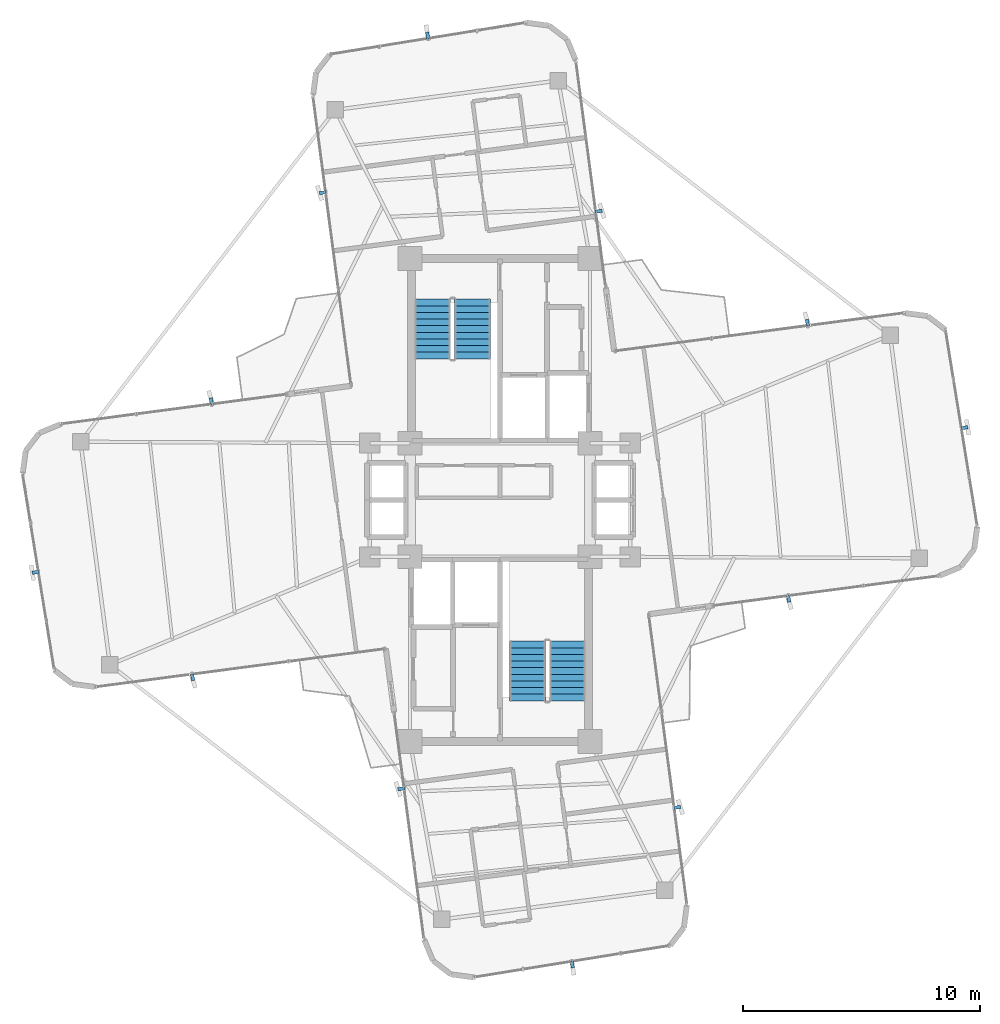
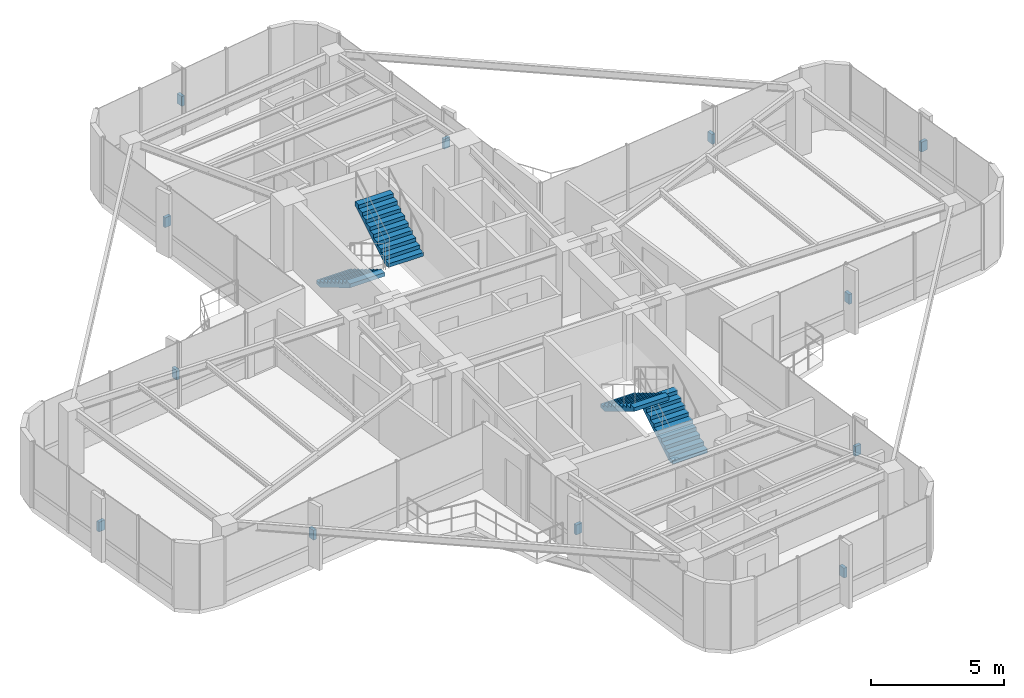
# One storey, part 21 of 22: 12 discrete accessories, 4 stair flights, 2 elements without a shape of their own.
"""IFC4 building model written with IfcOpenShell, lengths in metres."""

import ifcopenshell
import ifcopenshell.guid

model = None  # the IFC model being written
_history = None  # IfcOwnerHistory: only IFC2X3 demands one
_inside = {}  # id of a spatial element -> (the spatial element, [elements in it])
_under = {}  # id of a project, library or spatial element -> (it, [spatial elements below it])
_declared = {}  # id of a project -> (the project, [libraries it declares])
_typed = {}  # id of a type object -> (the type object, [elements of that type])
_made_of = {}  # id of a material, layer set ... -> (it, [elements and type objects made of it])


def new_model(schema):
    """Start an empty IFC model of exactly this schema.

    Asked for "IFC4X3", IfcOpenShell would pick the latest addendum, in which some entities
    have other attributes; the version numbers below select the first issue.
    IFC2X3 requires an IfcOwnerHistory on every rooted entity: one is made here for all.
    """
    global model, _history
    if schema == "IFC4X3":
        model = ifcopenshell.file(schema_version=(4, 3, 0, 0))
    else:
        model = ifcopenshell.file(schema=schema)
    _inside.clear()
    _under.clear()
    _declared.clear()
    _typed.clear()
    _made_of.clear()
    _history = None
    if model.schema == "IFC2X3":
        org = make("IfcOrganization", Name="unknown")
        user = make(
            "IfcPersonAndOrganization",
            ThePerson=make("IfcPerson", FamilyName="unknown"),
            TheOrganization=org,
        )
        app = make(
            "IfcApplication",
            ApplicationDeveloper=org,
            Version="unknown",
            ApplicationFullName="unknown",
            ApplicationIdentifier="unknown",
        )
        _history = make(
            "IfcOwnerHistory",
            OwningUser=user,
            OwningApplication=app,
            ChangeAction="ADDED",
            CreationDate=0,
        )
    return model


def make(cls, **values):
    """One entity of the class cls with the attributes given. An attribute that is None is left unset."""
    return model.create_entity(
        cls, **{name: value for name, value in values.items() if value is not None}
    )


def rooted(cls, **values):
    """An entity with a GlobalId (a new one), such as an element, a storey or a relation."""
    return make(cls, GlobalId=ifcopenshell.guid.new(), OwnerHistory=_history, **values)


def si_unit(unit_type, name, prefix=None):
    """IfcSIUnit, for example si_unit("LENGTHUNIT", "METRE", prefix="MILLI")."""
    return make("IfcSIUnit", UnitType=unit_type, Prefix=prefix, Name=name)


def assignment(units):
    """IfcUnitAssignment: the units of a project."""
    return None if units is None else make("IfcUnitAssignment", Units=units)


def point(xyz):
    """IfcCartesianPoint."""
    return None if xyz is None else make("IfcCartesianPoint", Coordinates=xyz)


def direction(xyz):
    """IfcDirection."""
    return None if xyz is None else make("IfcDirection", DirectionRatios=xyz)


def frame(location, z_axis=None, x_axis=None):
    """IfcAxis2Placement3D, a coordinate frame: its origin and axes. An axis left out is left unset."""
    return make(
        "IfcAxis2Placement3D",
        Location=point(location),
        Axis=direction(z_axis),
        RefDirection=direction(x_axis),
    )


def frame_2d(location, x_axis=None):
    """IfcAxis2Placement2D, a coordinate frame in the plane: its origin and x axis."""
    return make(
        "IfcAxis2Placement2D", Location=point(location), RefDirection=direction(x_axis)
    )


def origin():
    """The frame at (0, 0, 0) with its axes left unset."""
    return frame((0.0, 0.0, 0.0))


def origin_2d():
    """The frame at (0, 0) in the plane with its x axis left unset."""
    return frame_2d((0.0, 0.0))


def place(relative_to, where):
    """IfcLocalPlacement: puts the frame where relative to a parent placement (None: the world)."""
    return make(
        "IfcLocalPlacement", PlacementRelTo=relative_to, RelativePlacement=where
    )


def context(
    kind, dimensions, precision=None, world=None, true_north=None, identifier=None
):
    """IfcGeometricRepresentationContext, for example the 3D "Model" context."""
    return make(
        "IfcGeometricRepresentationContext",
        ContextIdentifier=identifier,
        ContextType=kind,
        CoordinateSpaceDimension=dimensions,
        Precision=precision,
        WorldCoordinateSystem=world,
        TrueNorth=true_north,
    )


def subcontext(parent, identifier, kind, view, scale=None):
    """IfcGeometricRepresentationSubContext, for example "Body" below "Model"."""
    return make(
        "IfcGeometricRepresentationSubContext",
        ContextIdentifier=identifier,
        ContextType=kind,
        ParentContext=parent,
        TargetScale=scale,
        TargetView=view,
    )


def project(units=None, contexts=None):
    """IfcProject with its units and contexts."""
    return rooted(
        "IfcProject",
        Name="project",
        RepresentationContexts=contexts,
        UnitsInContext=assignment(units),
    )


def spatial(cls, under=None, at=None, **own):
    """A site, building, storey or space (cls), placed at a placement, below another one or the project."""
    s = rooted(cls, ObjectPlacement=at, **own)
    if under is not None:
        _under.setdefault(under.id(), (under, []))[1].append(s)
    return s


def polyline(points):
    """IfcPolyline through the points."""
    return make("IfcPolyline", Points=[point(p) for p in points])


def profile(cls, at=None, kind="AREA", **sizes):
    """A parametric profile (cls). Its sizes go by their IFC names, for example OverallWidth=200.0."""
    return make(cls, ProfileType=kind, Position=at, **sizes)


def rectangle(**sizes):
    """IfcRectangleProfileDef."""
    return profile("IfcRectangleProfileDef", **sizes)


def outline(outer, holes=None, kind="AREA"):
    """IfcArbitraryClosedProfileDef: a profile drawn as a closed curve; with holes, ...WithVoids."""
    if holes is None:
        return make("IfcArbitraryClosedProfileDef", ProfileType=kind, OuterCurve=outer)
    return make(
        "IfcArbitraryProfileDefWithVoids",
        ProfileType=kind,
        OuterCurve=outer,
        InnerCurves=holes,
    )


def extrude(swept, where, along, depth):
    """IfcExtrudedAreaSolid: the profile swept, set in the frame where, extruded along a direction by depth."""
    return make(
        "IfcExtrudedAreaSolid",
        SweptArea=swept,
        Position=where,
        ExtrudedDirection=direction(along),
        Depth=depth,
    )


def shape(context_of_items, identifier, shape_type, items):
    """IfcShapeRepresentation: the items that make up one representation, for example the "Body"."""
    return make(
        "IfcShapeRepresentation",
        ContextOfItems=context_of_items,
        RepresentationIdentifier=identifier,
        RepresentationType=shape_type,
        Items=items,
    )


def source(mapping_origin, context_of_items, identifier, shape_type, items):
    """IfcRepresentationMap: a shape defined once, which mapped items show again and again."""
    return make(
        "IfcRepresentationMap",
        MappingOrigin=mapping_origin,
        MappedRepresentation=shape(context_of_items, identifier, shape_type, items),
    )


def transform(
    local_origin,
    x_axis=None,
    y_axis=None,
    z_axis=None,
    scale=None,
    scale2=None,
    scale3=None,
    uniform=True,
):
    """IfcCartesianTransformationOperator3D, or its non-uniform kind. x_axis, y_axis, z_axis: its Axis1, 2, 3."""
    if uniform:
        return make(
            "IfcCartesianTransformationOperator3D",
            Axis1=direction(x_axis),
            Axis2=direction(y_axis),
            LocalOrigin=point(local_origin),
            Scale=scale,
            Axis3=direction(z_axis),
        )
    return make(
        "IfcCartesianTransformationOperator3DnonUniform",
        Axis1=direction(x_axis),
        Axis2=direction(y_axis),
        LocalOrigin=point(local_origin),
        Scale=scale,
        Axis3=direction(z_axis),
        Scale2=scale2,
        Scale3=scale3,
    )


def mapped(mapping_source, mapping_target):
    """IfcMappedItem: shows the shape of a source again, moved by a transform."""
    return make(
        "IfcMappedItem", MappingSource=mapping_source, MappingTarget=mapping_target
    )


def material(Name=None, Category=None):
    """IfcMaterial."""
    return make("IfcMaterial", Name=Name, Category=Category)


def made_of(thing, what):
    """Note that an element or type object is made of a material, layer set ...; save() writes the relation."""
    if what is not None:
        _made_of.setdefault(what.id(), (what, []))[1].append(thing)
    return thing


def type_object(cls, material=None, **own):
    """A type object (cls), such as IfcWallType, which elements share."""
    return made_of(rooted(cls, **own), material)


def element(
    cls,
    number,
    at=None,
    inside=None,
    cuts=None,
    type_object=None,
    material=None,
    context=None,
    identifier="Body",
    shape_type=None,
    held_by="IfcProductDefinitionShape",
    body=None,
    shapes=None,
    **own,
):
    """One element of the class cls, such as IfcWall. Its Tag is "e" and its number.

    at: its placement. inside: the storey or other place that contains it. cuts: it is an
    opening in that element (IfcRelVoidsElement). A single representation is given by context,
    identifier, shape_type and body (its items); several are given by shapes. held_by: the class
    of the entity that holds the representations. save() writes the other relations.
    """
    e = rooted(cls, Tag="e%d" % number, ObjectPlacement=at, **own)
    if body is not None:
        shapes = [shape(context, identifier, shape_type, body)]
    if shapes is not None:
        e.Representation = make(held_by, Representations=shapes)
    if inside is not None:
        _inside.setdefault(inside.id(), (inside, []))[1].append(e)
    if cuts is not None:
        rooted(
            "IfcRelVoidsElement", RelatingBuildingElement=cuts, RelatedOpeningElement=e
        )
    if type_object is not None:
        _typed.setdefault(type_object.id(), (type_object, []))[1].append(e)
    return made_of(e, material)


def aggregate(whole, parts):
    """IfcRelAggregates: a whole, such as a stair, and the parts it consists of."""
    return rooted("IfcRelAggregates", RelatingObject=whole, RelatedObjects=parts)


def save(model, path):
    """Write the relations noted so far, then the file.

    IfcRelAggregates (storeys below a building ...), IfcRelContainedInSpatialStructure (elements
    in a storey), IfcRelDefinesByType, IfcRelAssociatesMaterial and IfcRelDeclares: one each for
    every whole, place, type object, material and project.
    """
    for whole, parts in _under.values():
        aggregate(whole, parts)
    for where, things in _inside.values():
        rooted(
            "IfcRelContainedInSpatialStructure",
            RelatedElements=things,
            RelatingStructure=where,
        )
    for kind, things in _typed.values():
        rooted("IfcRelDefinesByType", RelatedObjects=things, RelatingType=kind)
    for what, things in _made_of.values():
        rooted("IfcRelAssociatesMaterial", RelatedObjects=things, RelatingMaterial=what)
    for by, libraries in _declared.values():
        rooted("IfcRelDeclares", RelatingContext=by, RelatedDefinitions=libraries)
    model.write(path)


model = new_model("IFC4")

# Units and contexts
model_context = context("Model", 3, precision=1e-05, world=origin(), true_north=direction((0.0, 1.0)))
body_context = subcontext(model_context, "Body", "Model", "MODEL_VIEW")
ifc_project = project(units=[si_unit("LENGTHUNIT", "METRE"), si_unit("AREAUNIT", "SQUARE_METRE"), si_unit("VOLUMEUNIT", "CUBIC_METRE"), si_unit("PLANEANGLEUNIT", "RADIAN"), si_unit("MASSUNIT", "GRAM", prefix="KILO")], contexts=[model_context])

# Site, building, storey
site_placement = place(None, origin())
site = spatial("IfcSite", under=ifc_project, at=site_placement, CompositionType="ELEMENT")
building_placement = place(site_placement, origin())
building = spatial("IfcBuilding", under=site, at=building_placement, Name="Sahyath Konkavel Grand Hotel", CompositionType="ELEMENT")
storey_placement = place(building_placement, frame((0.0, 0.0, 261.25)))
storey = spatial("IfcBuildingStorey", under=building, at=storey_placement, Name="L73", CompositionType="ELEMENT", Elevation=261.25)

# Stair, stair flights
ifc_material_1 = material(Name="Concrete C40/50", Category="concrete")
stair_type = type_object("IfcStairType", Name="STR-ST16-335", PredefinedType="HALF_TURN_STAIR", material=ifc_material_1)
stair_1_placement = place(storey_placement, origin())
stair_1 = element("IfcStair", 1, at=stair_1_placement, inside=storey, type_object=stair_type, Name="L73 North Core Smokeproof Exit Stair ST-1", PredefinedType="HALF_TURN_STAIR")
stair_flight_type = type_object("IfcStairFlightType", Name="STF-ST16-335", PredefinedType="STRAIGHT", material=ifc_material_1)
stair_flight_1_placement = place(storey_placement, frame((-2.840087890625, 8.47998046875, 0.0), z_axis=(0.0, 0.0, 1.0), x_axis=(0.0, -1.0, 0.0)))
stair_flight_1 = element("IfcStairFlight", 2, at=stair_flight_1_placement, type_object=stair_flight_type, Name="ST-1 flight 1", NumberOfRisers=10, NumberOfTreads=9, PredefinedType="STRAIGHT", RiserHeight=0.1675, TreadLength=0.28, context=body_context, shape_type="SweptSolid", body=[
    extrude(outline(polyline([(0.0, 0.0), (0.0, 0.16748046875), (0.280029296875, 0.16748046875), (0.280029296875, 0.3349609375), (0.56005859375, 0.3349609375), (0.56005859375, 0.50244140625), (0.840087890625, 0.50244140625), (0.840087890625, 0.669921875), (1.1201171875, 0.669921875), (1.1201171875, 0.83740234375), (1.39990234375, 0.83740234375), (1.39990234375, 1.0048828125), (1.679931640625, 1.0048828125), (1.679931640625, 1.172607421875), (1.9599609375, 1.172607421875), (1.9599609375, 1.340087890625), (2.239990234375, 1.340087890625), (2.239990234375, 1.507568359375), (2.52001953125, 1.507568359375), (2.52001953125, 1.675048828125), (2.52001953125, 1.332763671875), (0.2919921875, 0.0), (0.0, 0.0)])), frame((0.0, 0.760009765625, 0.0), z_axis=(0.0, -1.0, 0.0), x_axis=(1.0, 0.0, 0.0)), (0.0, 0.0, 1.0), 1.52001953125),
])
stair_flight_2_placement = place(storey_placement, frame((-1.159912109375, 5.9599609375, 1.675048828125), z_axis=(0.0, 0.0, 1.0), x_axis=(0.0, 1.0, 0.0)))
stair_flight_2 = element("IfcStairFlight", 3, at=stair_flight_2_placement, type_object=stair_flight_type, Name="ST-1 flight 2", NumberOfRisers=10, NumberOfTreads=9, PredefinedType="STRAIGHT", RiserHeight=0.1675, TreadLength=0.28, context=body_context, shape_type="SweptSolid", body=[
    extrude(outline(polyline([(0.0, 0.0), (0.0, 0.16748046875), (0.280029296875, 0.16748046875), (0.280029296875, 0.3349609375), (0.56005859375, 0.3349609375), (0.56005859375, 0.50244140625), (0.840087890625, 0.50244140625), (0.840087890625, 0.669921875), (1.1201171875, 0.669921875), (1.1201171875, 0.83740234375), (1.39990234375, 0.83740234375), (1.39990234375, 1.0048828125), (1.679931640625, 1.0048828125), (1.679931640625, 1.172607421875), (1.9599609375, 1.172607421875), (1.9599609375, 1.340087890625), (2.239990234375, 1.340087890625), (2.239990234375, 1.507568359375), (2.52001953125, 1.507568359375), (2.52001953125, 1.675048828125), (2.52001953125, 1.332763671875), (0.2919921875, 0.0), (0.0, 0.0)])), frame((0.0, 0.760009765625, 0.0), z_axis=(0.0, -1.0, 0.0), x_axis=(1.0, 0.0, 0.0)), (0.0, 0.0, 1.0), 1.52001953125),
])
aggregate(stair_1, [stair_flight_1, stair_flight_2])

stair_2_placement = place(storey_placement, origin())
stair_2 = element("IfcStair", 4, at=stair_2_placement, inside=storey, type_object=stair_type, Name="L73 South Core Smokeproof Exit Stair ST-2", PredefinedType="HALF_TURN_STAIR")
stair_flight_3_placement = place(storey_placement, frame((2.840087890625, -8.47998046875, 0.0), z_axis=(0.0, 0.0, 1.0), x_axis=(0.0, 1.0, 0.0)))
stair_flight_3 = element("IfcStairFlight", 5, at=stair_flight_3_placement, type_object=stair_flight_type, Name="ST-2 flight 1", NumberOfRisers=10, NumberOfTreads=9, PredefinedType="STRAIGHT", RiserHeight=0.1675, TreadLength=0.28, context=body_context, shape_type="SweptSolid", body=[
    extrude(outline(polyline([(0.0, 0.0), (0.0, 0.16748046875), (0.280029296875, 0.16748046875), (0.280029296875, 0.3349609375), (0.56005859375, 0.3349609375), (0.56005859375, 0.50244140625), (0.840087890625, 0.50244140625), (0.840087890625, 0.669921875), (1.1201171875, 0.669921875), (1.1201171875, 0.83740234375), (1.39990234375, 0.83740234375), (1.39990234375, 1.0048828125), (1.679931640625, 1.0048828125), (1.679931640625, 1.172607421875), (1.9599609375, 1.172607421875), (1.9599609375, 1.340087890625), (2.239990234375, 1.340087890625), (2.239990234375, 1.507568359375), (2.52001953125, 1.507568359375), (2.52001953125, 1.675048828125), (2.52001953125, 1.332763671875), (0.2919921875, 0.0), (0.0, 0.0)])), frame((0.0, 0.760009765625, 0.0), z_axis=(0.0, -1.0, 0.0), x_axis=(1.0, 0.0, 0.0)), (0.0, 0.0, 1.0), 1.52001953125),
])
stair_flight_4_placement = place(storey_placement, frame((1.159912109375, -5.9599609375, 1.675048828125), z_axis=(0.0, 0.0, 1.0), x_axis=(0.0, -1.0, 0.0)))
stair_flight_4 = element("IfcStairFlight", 6, at=stair_flight_4_placement, type_object=stair_flight_type, Name="ST-2 flight 2", NumberOfRisers=10, NumberOfTreads=9, PredefinedType="STRAIGHT", RiserHeight=0.1675, TreadLength=0.28, context=body_context, shape_type="SweptSolid", body=[
    extrude(outline(polyline([(0.0, 0.0), (0.0, 0.16748046875), (0.280029296875, 0.16748046875), (0.280029296875, 0.3349609375), (0.56005859375, 0.3349609375), (0.56005859375, 0.50244140625), (0.840087890625, 0.50244140625), (0.840087890625, 0.669921875), (1.1201171875, 0.669921875), (1.1201171875, 0.83740234375), (1.39990234375, 0.83740234375), (1.39990234375, 1.0048828125), (1.679931640625, 1.0048828125), (1.679931640625, 1.172607421875), (1.9599609375, 1.172607421875), (1.9599609375, 1.340087890625), (2.239990234375, 1.340087890625), (2.239990234375, 1.507568359375), (2.52001953125, 1.507568359375), (2.52001953125, 1.675048828125), (2.52001953125, 1.332763671875), (0.2919921875, 0.0), (0.0, 0.0)])), frame((0.0, 0.760009765625, 0.0), z_axis=(0.0, -1.0, 0.0), x_axis=(1.0, 0.0, 0.0)), (0.0, 0.0, 1.0), 1.52001953125),
])
aggregate(stair_2, [stair_flight_3, stair_flight_4])

# Discrete accessories
ifc_material_2 = material(Name="Steel E350", Category="steel")
discrete_accessory_type = type_object("IfcDiscreteAccessoryType", Name="ACC-FIN-BRACKET", PredefinedType="BRACKET", material=ifc_material_2)
shared_shape = source(origin(), body_context, "Body", "SweptSolid", [
    extrude(rectangle(XDim=0.280029296875, YDim=0.139892578125, at=origin_2d()), origin(), (0.0, 0.0, 1.0), 0.449951171875),
])
for number, where, z_axis, x_axis, name in (
    (7, (12.1923828125, -4.17431640625, 1.2900390625), (0.0, 0.0, 1.0), (0.13052619222, -0.991444861374, 0.0), "L73 Fin Support Bracket F0-1"),
    (8, (19.615234375, 3.052734375, 1.2900390625), (0.0, 0.0, 1.0), (0.987178088041, 0.159622750546, 0.0), "L73 Fin Support Bracket F4-2"),
    (9, (12.980224609375, 7.48828125, 1.2900390625), (0.0, 0.0, 1.0), (-0.13052619222, 0.991444861374, 0.0), "L73 Fin Support Bracket F7-1"),
    (10, (4.17431640625, 12.1923828125, 1.2900390625), (0.0, 0.0, 1.0), (0.991444861374, 0.13052619222, 0.0), "L73 Fin Support Bracket F8-1"),
    (11, (-3.052734375, 19.615234375, 1.2900390625), (0.0, 0.0, 1.0), (-0.159622750546, 0.987178088041, 0.0), "L73 Fin Support Bracket F12-2"),
    (12, (-7.48828125, 12.980224609375, 1.2900390625), (0.0, 0.0, 1.0), (-0.991444861374, -0.13052619222, 0.0), "L73 Fin Support Bracket F15-1"),
    (13, (-12.1923828125, 4.17431640625, 1.2900390625), (0.0, 0.0, 1.0), (-0.13052619222, 0.991444861374, 0.0), "L73 Fin Support Bracket F16-1"),
    (14, (-19.615234375, -3.052734375, 1.2900390625), (0.0, 0.0, 1.0), (-0.987178088041, -0.159622750546, 0.0), "L73 Fin Support Bracket F20-2"),
    (15, (-12.980224609375, -7.48828125, 1.2900390625), (0.0, 0.0, 1.0), (0.13052619222, -0.991444861374, 0.0), "L73 Fin Support Bracket F23-1"),
    (16, (-4.17431640625, -12.1923828125, 1.2900390625), (0.0, 0.0, 1.0), (-0.991444861374, -0.13052619222, 0.0), "L73 Fin Support Bracket F24-1"),
    (17, (3.052734375, -19.615234375, 1.2900390625), (0.0, 0.0, 1.0), (0.159622750546, -0.987178088041, 0.0), "L73 Fin Support Bracket F28-2"),
    (18, (7.48828125, -12.980224609375, 1.2900390625), (0.0, 0.0, 1.0), (0.991444861374, 0.13052619222, 0.0), "L73 Fin Support Bracket F31-1"),
):
    element("IfcDiscreteAccessory", number, at=place(storey_placement, frame(where, z_axis=z_axis, x_axis=x_axis)), inside=storey, type_object=discrete_accessory_type, Name=name, PredefinedType="BRACKET", context=body_context, shape_type="MappedRepresentation", body=[
        mapped(shared_shape, transform((0.0, 0.0, 0.0), scale=1.0)),
    ])

save(model, "model.ifc")
